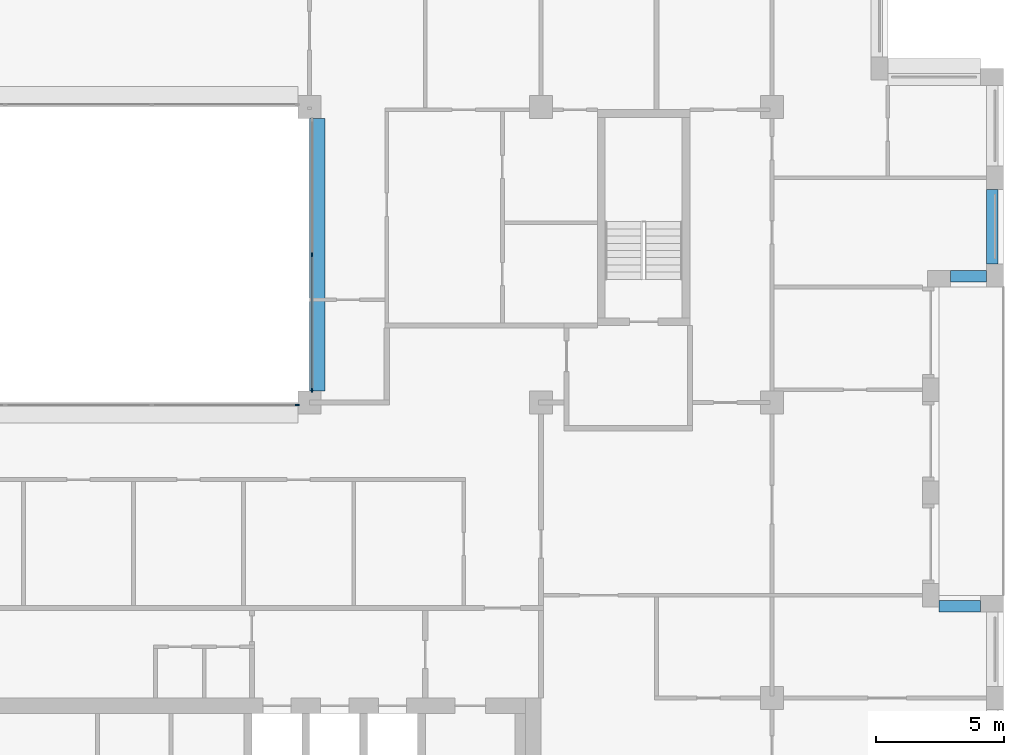
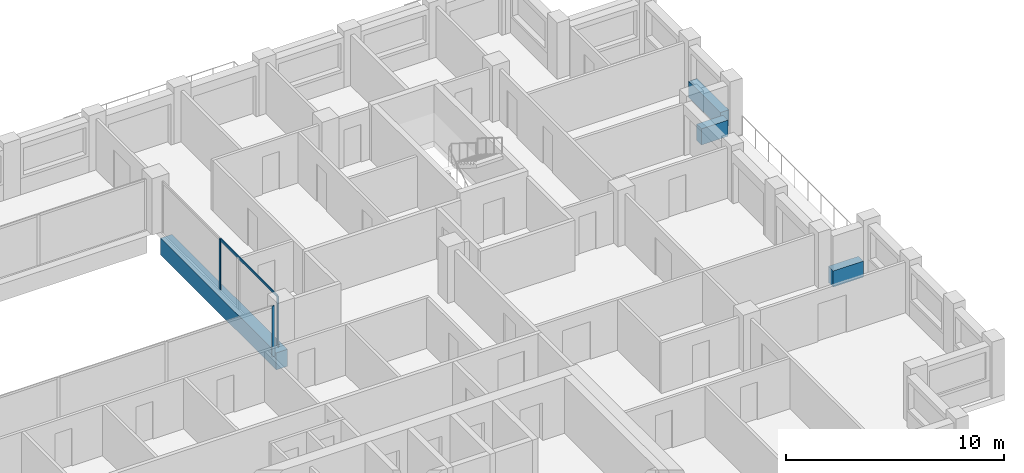
# One storey, part 4 of 15: 4 beams, 4 members, 2 elements without a shape of their own.
"""IFC4 building model written with IfcOpenShell, lengths in metres."""

import ifcopenshell
import ifcopenshell.guid

model = None  # the IFC model being written
_history = None  # IfcOwnerHistory: only IFC2X3 demands one
_inside = {}  # id of a spatial element -> (the spatial element, [elements in it])
_under = {}  # id of a project, library or spatial element -> (it, [spatial elements below it])
_declared = {}  # id of a project -> (the project, [libraries it declares])
_typed = {}  # id of a type object -> (the type object, [elements of that type])
_made_of = {}  # id of a material, layer set ... -> (it, [elements and type objects made of it])


def new_model(schema):
    """Start an empty IFC model of exactly this schema.

    Asked for "IFC4X3", IfcOpenShell would pick the latest addendum, in which some entities
    have other attributes; the version numbers below select the first issue.
    IFC2X3 requires an IfcOwnerHistory on every rooted entity: one is made here for all.
    """
    global model, _history
    if schema == "IFC4X3":
        model = ifcopenshell.file(schema_version=(4, 3, 0, 0))
    else:
        model = ifcopenshell.file(schema=schema)
    _inside.clear()
    _under.clear()
    _declared.clear()
    _typed.clear()
    _made_of.clear()
    _history = None
    if model.schema == "IFC2X3":
        org = make("IfcOrganization", Name="unknown")
        user = make(
            "IfcPersonAndOrganization",
            ThePerson=make("IfcPerson", FamilyName="unknown"),
            TheOrganization=org,
        )
        app = make(
            "IfcApplication",
            ApplicationDeveloper=org,
            Version="unknown",
            ApplicationFullName="unknown",
            ApplicationIdentifier="unknown",
        )
        _history = make(
            "IfcOwnerHistory",
            OwningUser=user,
            OwningApplication=app,
            ChangeAction="ADDED",
            CreationDate=0,
        )
    return model


def make(cls, **values):
    """One entity of the class cls with the attributes given. An attribute that is None is left unset."""
    return model.create_entity(
        cls, **{name: value for name, value in values.items() if value is not None}
    )


def rooted(cls, **values):
    """An entity with a GlobalId (a new one), such as an element, a storey or a relation."""
    return make(cls, GlobalId=ifcopenshell.guid.new(), OwnerHistory=_history, **values)


def si_unit(unit_type, name, prefix=None):
    """IfcSIUnit, for example si_unit("LENGTHUNIT", "METRE", prefix="MILLI")."""
    return make("IfcSIUnit", UnitType=unit_type, Prefix=prefix, Name=name)


def assignment(units):
    """IfcUnitAssignment: the units of a project."""
    return None if units is None else make("IfcUnitAssignment", Units=units)


def point(xyz):
    """IfcCartesianPoint."""
    return None if xyz is None else make("IfcCartesianPoint", Coordinates=xyz)


def direction(xyz):
    """IfcDirection."""
    return None if xyz is None else make("IfcDirection", DirectionRatios=xyz)


def frame(location, z_axis=None, x_axis=None):
    """IfcAxis2Placement3D, a coordinate frame: its origin and axes. An axis left out is left unset."""
    return make(
        "IfcAxis2Placement3D",
        Location=point(location),
        Axis=direction(z_axis),
        RefDirection=direction(x_axis),
    )


def frame_2d(location, x_axis=None):
    """IfcAxis2Placement2D, a coordinate frame in the plane: its origin and x axis."""
    return make(
        "IfcAxis2Placement2D", Location=point(location), RefDirection=direction(x_axis)
    )


def origin():
    """The frame at (0, 0, 0) with its axes left unset."""
    return frame((0.0, 0.0, 0.0))


def origin_2d():
    """The frame at (0, 0) in the plane with its x axis left unset."""
    return frame_2d((0.0, 0.0))


def place(relative_to, where):
    """IfcLocalPlacement: puts the frame where relative to a parent placement (None: the world)."""
    return make(
        "IfcLocalPlacement", PlacementRelTo=relative_to, RelativePlacement=where
    )


def context(
    kind, dimensions, precision=None, world=None, true_north=None, identifier=None
):
    """IfcGeometricRepresentationContext, for example the 3D "Model" context."""
    return make(
        "IfcGeometricRepresentationContext",
        ContextIdentifier=identifier,
        ContextType=kind,
        CoordinateSpaceDimension=dimensions,
        Precision=precision,
        WorldCoordinateSystem=world,
        TrueNorth=true_north,
    )


def subcontext(parent, identifier, kind, view, scale=None):
    """IfcGeometricRepresentationSubContext, for example "Body" below "Model"."""
    return make(
        "IfcGeometricRepresentationSubContext",
        ContextIdentifier=identifier,
        ContextType=kind,
        ParentContext=parent,
        TargetScale=scale,
        TargetView=view,
    )


def project(units=None, contexts=None):
    """IfcProject with its units and contexts."""
    return rooted(
        "IfcProject",
        Name="project",
        RepresentationContexts=contexts,
        UnitsInContext=assignment(units),
    )


def spatial(cls, under=None, at=None, **own):
    """A site, building, storey or space (cls), placed at a placement, below another one or the project."""
    s = rooted(cls, ObjectPlacement=at, **own)
    if under is not None:
        _under.setdefault(under.id(), (under, []))[1].append(s)
    return s


def profile(cls, at=None, kind="AREA", **sizes):
    """A parametric profile (cls). Its sizes go by their IFC names, for example OverallWidth=200.0."""
    return make(cls, ProfileType=kind, Position=at, **sizes)


def rectangle(**sizes):
    """IfcRectangleProfileDef."""
    return profile("IfcRectangleProfileDef", **sizes)


def extrude(swept, where, along, depth):
    """IfcExtrudedAreaSolid: the profile swept, set in the frame where, extruded along a direction by depth."""
    return make(
        "IfcExtrudedAreaSolid",
        SweptArea=swept,
        Position=where,
        ExtrudedDirection=direction(along),
        Depth=depth,
    )


def shape(context_of_items, identifier, shape_type, items):
    """IfcShapeRepresentation: the items that make up one representation, for example the "Body"."""
    return make(
        "IfcShapeRepresentation",
        ContextOfItems=context_of_items,
        RepresentationIdentifier=identifier,
        RepresentationType=shape_type,
        Items=items,
    )


def material(Name=None, Category=None):
    """IfcMaterial."""
    return make("IfcMaterial", Name=Name, Category=Category)


def layer(
    of_material, thickness, ventilated=None, Name=None, Category=None, Priority=None
):
    """IfcMaterialLayer: one layer of a wall or slab, of a material (None: an air gap)."""
    return make(
        "IfcMaterialLayer",
        Material=of_material,
        LayerThickness=thickness,
        IsVentilated=ventilated,
        Name=Name,
        Category=Category,
        Priority=Priority,
    )


def layer_set(layers, Name=None):
    """IfcMaterialLayerSet."""
    return make("IfcMaterialLayerSet", MaterialLayers=layers, LayerSetName=Name)


def material_profile(
    of_material, cross_section, Name=None, Category=None, Priority=None
):
    """IfcMaterialProfile: a cross section and its material."""
    return make(
        "IfcMaterialProfile",
        Name=Name,
        Material=of_material,
        Profile=cross_section,
        Priority=Priority,
        Category=Category,
    )


def profile_set(profiles, Name=None, composite=None):
    """IfcMaterialProfileSet."""
    return make(
        "IfcMaterialProfileSet",
        Name=Name,
        MaterialProfiles=profiles,
        CompositeProfile=composite,
    )


def made_of(thing, what):
    """Note that an element or type object is made of a material, layer set ...; save() writes the relation."""
    if what is not None:
        _made_of.setdefault(what.id(), (what, []))[1].append(thing)
    return thing


def type_object(cls, material=None, **own):
    """A type object (cls), such as IfcWallType, which elements share."""
    return made_of(rooted(cls, **own), material)


def element(
    cls,
    number,
    at=None,
    inside=None,
    cuts=None,
    type_object=None,
    material=None,
    context=None,
    identifier="Body",
    shape_type=None,
    held_by="IfcProductDefinitionShape",
    body=None,
    shapes=None,
    **own,
):
    """One element of the class cls, such as IfcWall. Its Tag is "e" and its number.

    at: its placement. inside: the storey or other place that contains it. cuts: it is an
    opening in that element (IfcRelVoidsElement). A single representation is given by context,
    identifier, shape_type and body (its items); several are given by shapes. held_by: the class
    of the entity that holds the representations. save() writes the other relations.
    """
    e = rooted(cls, Tag="e%d" % number, ObjectPlacement=at, **own)
    if body is not None:
        shapes = [shape(context, identifier, shape_type, body)]
    if shapes is not None:
        e.Representation = make(held_by, Representations=shapes)
    if inside is not None:
        _inside.setdefault(inside.id(), (inside, []))[1].append(e)
    if cuts is not None:
        rooted(
            "IfcRelVoidsElement", RelatingBuildingElement=cuts, RelatedOpeningElement=e
        )
    if type_object is not None:
        _typed.setdefault(type_object.id(), (type_object, []))[1].append(e)
    return made_of(e, material)


def aggregate(whole, parts):
    """IfcRelAggregates: a whole, such as a stair, and the parts it consists of."""
    return rooted("IfcRelAggregates", RelatingObject=whole, RelatedObjects=parts)


def save(model, path):
    """Write the relations noted so far, then the file.

    IfcRelAggregates (storeys below a building ...), IfcRelContainedInSpatialStructure (elements
    in a storey), IfcRelDefinesByType, IfcRelAssociatesMaterial and IfcRelDeclares: one each for
    every whole, place, type object, material and project.
    """
    for whole, parts in _under.values():
        aggregate(whole, parts)
    for where, things in _inside.values():
        rooted(
            "IfcRelContainedInSpatialStructure",
            RelatedElements=things,
            RelatingStructure=where,
        )
    for kind, things in _typed.values():
        rooted("IfcRelDefinesByType", RelatedObjects=things, RelatingType=kind)
    for what, things in _made_of.values():
        rooted("IfcRelAssociatesMaterial", RelatedObjects=things, RelatingMaterial=what)
    for by, libraries in _declared.values():
        rooted("IfcRelDeclares", RelatingContext=by, RelatedDefinitions=libraries)
    model.write(path)


model = new_model("IFC4")

# Units and contexts
model_context = context("Model", 3, precision=1e-05, world=origin(), true_north=direction((0.0, 1.0)))
body_context = subcontext(model_context, "Body", "Model", "MODEL_VIEW")
ifc_project = project(units=[si_unit("LENGTHUNIT", "METRE"), si_unit("AREAUNIT", "SQUARE_METRE"), si_unit("VOLUMEUNIT", "CUBIC_METRE"), si_unit("PLANEANGLEUNIT", "RADIAN"), si_unit("MASSUNIT", "GRAM", prefix="KILO")], contexts=[model_context])

# Site, building, storey
site_placement = place(None, origin())
site = spatial("IfcSite", under=ifc_project, at=site_placement, CompositionType="ELEMENT")
building_placement = place(site_placement, origin())
building = spatial("IfcBuilding", under=site, at=building_placement, Name="Brigalow Station Residences", CompositionType="ELEMENT")
storey_placement = place(building_placement, frame((0.0, 0.0, 220.050048828125)))
storey = spatial("IfcBuildingStorey", under=building, at=storey_placement, Name="L63", CompositionType="ELEMENT", Elevation=220.050048828125)

# Beam
ifc_material_1 = material(Name="Concrete C65", Category="concrete")
ifc_material_profile_1 = material_profile(ifc_material_1, rectangle(XDim=0.60009765625, YDim=0.949951171875, at=origin_2d()), Name="RC600x950")
ifc_profile_set_1 = profile_set([ifc_material_profile_1], Name="Concrete C65")
beam_type_1 = type_object("IfcBeamType", Name="ATRIUM EDGE GIRDER 600x950 C65", PredefinedType="BEAM", material=ifc_profile_set_1)
beam_1_placement = place(storey_placement, frame((45.300048828125, 24.449951171875, -0.795166015625), z_axis=(0.0, 1.0, 0.0), x_axis=(-1.0, 0.0, 0.0)))
element("IfcBeam", 1, at=beam_1_placement, inside=storey, type_object=beam_type_1, Name="ATRIUM EDGE GIRDER 5 L63", PredefinedType="BEAM", context=body_context, shape_type="SweptSolid", body=[
    extrude(rectangle(XDim=0.60009765625, YDim=0.949951171875, at=origin_2d()), origin(), (0.0, 0.0, 1.0), 10.60009765625),
])

# Curtain wall, member
ifc_material_2 = material(Name="Aluminium", Category="aluminium")
ifc_layer = layer(ifc_material_2, 0.14990234375)
ifc_layer_set = layer_set([ifc_layer], Name="ATRIUM FIRE-RATED GLAZING CURTAIN WALL")
curtain_wall_type = type_object("IfcCurtainWallType", Name="ATRIUM FIRE-RATED GLAZING CURTAIN WALL", PredefinedType="NOTDEFINED", material=ifc_layer_set)
curtain_wall_1_placement = place(storey_placement, origin())
curtain_wall_1 = element("IfcCurtainWall", 2, at=curtain_wall_1_placement, inside=storey, type_object=curtain_wall_type, Name="L63/cw/atrium-S", PredefinedType="NOTDEFINED")
ifc_material_3 = material(Name="Aluminium", Category="aluminium")
ifc_material_profile_2 = material_profile(ifc_material_3, rectangle(XDim=0.06005859375, YDim=0.14990234375, at=origin_2d()), Name="ATRIUM FIRE-RATED GLAZING MULLION 60x150")
ifc_profile_set_2 = profile_set([ifc_material_profile_2], Name="Aluminium")
member_type_1 = type_object("IfcMemberType", Name="ATRIUM FIRE-RATED GLAZING MULLION 60x150", PredefinedType="MULLION", material=ifc_profile_set_2)
member_1_placement = place(storey_placement, frame((44.52001953125, 23.89990234375, 0.0), z_axis=(0.0, 0.0, 1.0), x_axis=(0.0, 1.0, 0.0)))
member_1 = element("IfcMember", 3, at=member_1_placement, type_object=member_type_1, Name="L63/cw/atrium-S/M03", PredefinedType="MULLION", context=body_context, shape_type="SweptSolid", body=[
    extrude(rectangle(XDim=0.06005859375, YDim=0.14990234375, at=origin_2d()), origin(), (0.0, 0.0, 1.0), 2.829833984375),
])
aggregate(curtain_wall_1, [member_1])

# Curtain wall, members
curtain_wall_2_placement = place(storey_placement, origin())
curtain_wall_2 = element("IfcCurtainWall", 4, at=curtain_wall_2_placement, inside=storey, type_object=curtain_wall_type, Name="L63/cw/atrium-E", PredefinedType="NOTDEFINED")
member_2_placement = place(storey_placement, frame((45.10009765625, 24.47998046875, 0.0), z_axis=(0.0, 0.0, 1.0), x_axis=(-1.0, 0.0, 0.0)))
member_2 = element("IfcMember", 5, at=member_2_placement, type_object=member_type_1, Name="L63/cw/atrium-E/M00", PredefinedType="MULLION", context=body_context, shape_type="SweptSolid", body=[
    extrude(rectangle(XDim=0.06005859375, YDim=0.14990234375, at=origin_2d()), origin(), (0.0, 0.0, 1.0), 2.829833984375),
])
member_3_placement = place(storey_placement, frame((45.10009765625, 29.75, 0.0), z_axis=(0.0, 0.0, 1.0), x_axis=(-1.0, 0.0, 0.0)))
member_3 = element("IfcMember", 6, at=member_3_placement, type_object=member_type_1, Name="L63/cw/atrium-E/M01", PredefinedType="MULLION", context=body_context, shape_type="SweptSolid", body=[
    extrude(rectangle(XDim=0.06005859375, YDim=0.14990234375, at=origin_2d()), origin(), (0.0, 0.0, 1.0), 2.829833984375),
])
ifc_material_4 = material(Name="Aluminium", Category="aluminium")
ifc_material_profile_3 = material_profile(ifc_material_4, rectangle(XDim=0.06005859375, YDim=0.1201171875, at=origin_2d()), Name="ATRIUM FIRE-RATED GLAZING TRANSOM 60x120")
ifc_profile_set_3 = profile_set([ifc_material_profile_3], Name="Aluminium")
member_type_2 = type_object("IfcMemberType", Name="ATRIUM FIRE-RATED GLAZING TRANSOM 60x120", PredefinedType="USERDEFINED", material=ifc_profile_set_3)
member_4_placement = place(storey_placement, frame((45.10009765625, 24.510009765625, 2.800048828125), z_axis=(0.0, 1.0, 0.0), x_axis=(-1.0, 0.0, 0.0)))
member_4 = element("IfcMember", 7, at=member_4_placement, type_object=member_type_2, Name="L63/cw/atrium-E/T00-00", ObjectType="TRANSOM", PredefinedType="USERDEFINED", context=body_context, shape_type="SweptSolid", body=[
    extrude(rectangle(XDim=0.06005859375, YDim=0.1201171875, at=origin_2d()), origin(), (0.0, 0.0, 1.0), 5.2099609375),
])
aggregate(curtain_wall_2, [member_2, member_3, member_4])

# Beams
ifc_material_5 = material(Name="Concrete C50", Category="concrete")
ifc_material_profile_4 = material_profile(ifc_material_5, rectangle(XDim=0.449951171875, YDim=0.89990234375, at=origin_2d()), Name="RC450x900")
ifc_profile_set_4 = profile_set([ifc_material_profile_4], Name="Concrete C50")
beam_type_2 = type_object("IfcBeamType", Name="SPANDREL BEAM 450x900 C50", PredefinedType="SPANDREL", material=ifc_profile_set_4)
beam_2_placement = place(storey_placement, frame((71.10009765625, 16.074951171875, 0.449951171875), z_axis=(-1.0, 0.0, 0.0), x_axis=(0.0, -1.0, 0.0)))
element("IfcBeam", 8, at=beam_2_placement, inside=storey, type_object=beam_type_2, Name="L63/spandrel/W-L63-11", PredefinedType="SPANDREL", context=body_context, shape_type="SweptSolid", body=[
    extrude(rectangle(XDim=0.449951171875, YDim=0.89990234375, at=origin_2d()), origin(), (0.0, 0.0, 1.0), 1.60009765625),
])
beam_3_placement = place(storey_placement, frame((69.949951171875, 28.925048828125, 0.449951171875), z_axis=(1.0, 0.0, 0.0), x_axis=(0.0, 1.0, 0.0)))
element("IfcBeam", 9, at=beam_3_placement, inside=storey, type_object=beam_type_2, Name="L63/spandrel/W-L63-15", PredefinedType="SPANDREL", context=body_context, shape_type="SweptSolid", body=[
    extrude(rectangle(XDim=0.449951171875, YDim=0.89990234375, at=origin_2d()), origin(), (0.0, 0.0, 1.0), 1.400146484375),
])
beam_4_placement = place(storey_placement, frame((71.574951171875, 29.39990234375, 0.449951171875), z_axis=(0.0, 1.0, 0.0), x_axis=(-1.0, 0.0, 0.0)))
element("IfcBeam", 10, at=beam_4_placement, inside=storey, type_object=beam_type_2, Name="L63/spandrel/W-L63-16", PredefinedType="SPANDREL", context=body_context, shape_type="SweptSolid", body=[
    extrude(rectangle(XDim=0.449951171875, YDim=0.89990234375, at=origin_2d()), origin(), (0.0, 0.0, 1.0), 2.900146484375),
])

save(model, "model.ifc")
